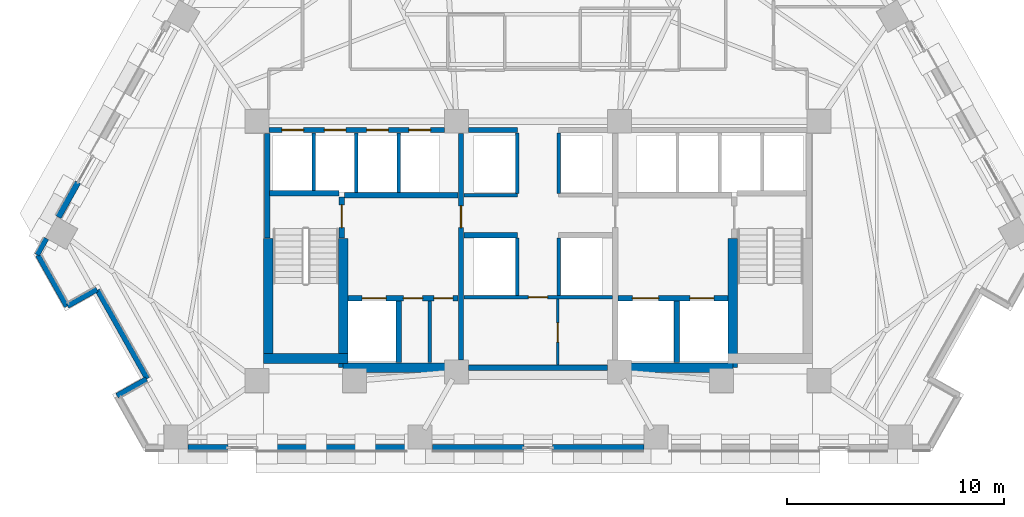
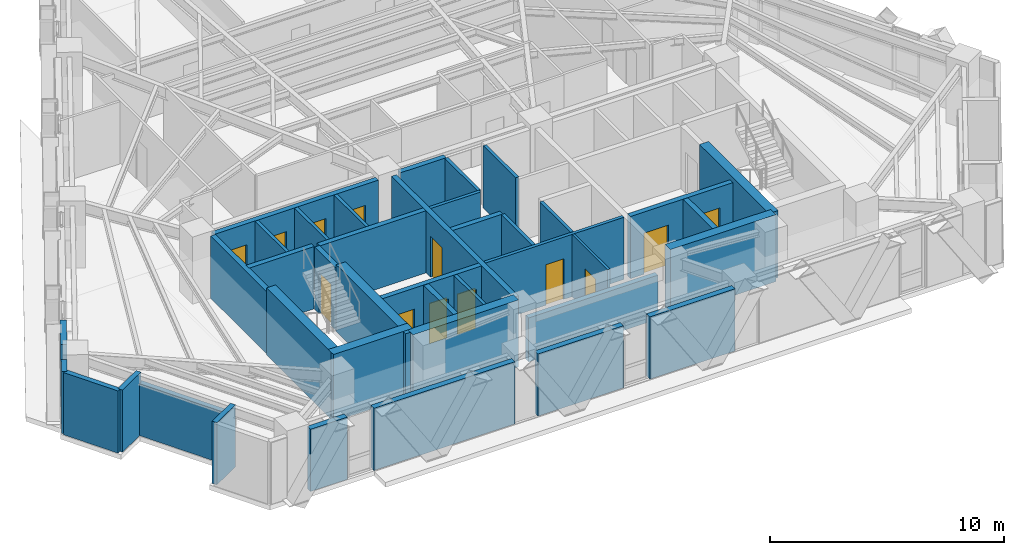
# One storey, part 7 of 13: 40 walls, 13 doors, 13 openings.
"""IFC4 building model written with IfcOpenShell, lengths in metres."""

from ifc_helpers import new_model, si_unit, direction, frame, frame_2d, origin, place, context, subcontext, project, spatial, rectangle, extrude, material, layer, layer_set, type_object, element, fill, save


model = new_model("IFC4")

# Units and contexts
model_context = context("Model", 3, precision=1e-05, world=origin(), true_north=direction((0.0, 1.0)))
body_context = subcontext(model_context, "Body", "Model", "MODEL_VIEW")
ifc_project = project(units=[si_unit("LENGTHUNIT", "METRE"), si_unit("AREAUNIT", "SQUARE_METRE"), si_unit("VOLUMEUNIT", "CUBIC_METRE"), si_unit("PLANEANGLEUNIT", "RADIAN"), si_unit("MASSUNIT", "GRAM", prefix="KILO")], contexts=[model_context])

# Site, building, storey
site_placement = place(None, origin())
site = spatial("IfcSite", under=ifc_project, at=site_placement, CompositionType="ELEMENT")
building_placement = place(site_placement, origin())
building = spatial("IfcBuilding", under=site, at=building_placement, Name="Quenlor Broadcast Tower", CompositionType="ELEMENT")
storey_placement = place(building_placement, frame((0.0, 0.0, 76.60009765625)))
storey = spatial("IfcBuildingStorey", under=building, at=storey_placement, Name="L20", CompositionType="ELEMENT", Elevation=76.60009765625)

# Walls
ifc_material_1 = material(Name="Concrete C50/60", Category="concrete")
ifc_layer_1 = layer(ifc_material_1, 0.449951171875)
ifc_layer_set_1 = layer_set([ifc_layer_1], Name="Core Concrete C50/60 Shear Wall 450")
wall_type_1 = type_object("IfcWallType", Name="Core Concrete C50/60 Shear Wall 450", PredefinedType="SHEAR", material=ifc_layer_set_1)
wall_1_placement = place(storey_placement, frame((-12.64990234375, -15.72509765625, 0.0), z_axis=(0.0, 0.0, 1.0), x_axis=(1.0, 0.0, 0.0)))
element("IfcWall", 1, at=wall_1_placement, inside=storey, type_object=wall_type_1, Name="L20 Core Shear Wall WS-W1", PredefinedType="SHEAR", context=body_context, shape_type="SweptSolid", body=[
    extrude(rectangle(XDim=3.89990234375, YDim=0.449951171875, at=frame_2d((1.949951171875, 0.0))), origin(), (0.0, 0.0, 1.0), 3.5),
])
for number, where, z_axis, x_axis, name in (
    (2, (-8.97509765625, -16.14990234375, 0.0), (0.0, 0.0, 1.0), (1.0, 0.0, 0.0), "L20 Core Shear Wall WS-W2"),
    (3, (3.75, -16.14990234375, 0.0), (0.0, 0.0, 1.0), (1.0, 0.0, 0.0), "L20 Core Shear Wall WS-E1"),
):
    element("IfcWall", number, at=place(storey_placement, frame(where, z_axis=z_axis, x_axis=x_axis)), inside=storey, type_object=wall_type_1, Name=name, PredefinedType="SHEAR", context=body_context, shape_type="SweptSolid", body=[
        extrude(rectangle(XDim=5.22509765625, YDim=0.449951171875, at=frame_2d((2.612548828125, 0.0))), origin(), (0.0, 0.0, 1.0), 3.5),
    ])
wall_2_placement = place(storey_placement, frame((-12.425048828125, -15.72509765625, 0.0), z_axis=(0.0, 0.0, 1.0), x_axis=(0.0, 1.0, 0.0)))
element("IfcWall", 4, at=wall_2_placement, inside=storey, type_object=wall_type_1, Name="L20 Core Shear Wall WF-W", PredefinedType="SHEAR", context=body_context, shape_type="SweptSolid", body=[
    extrude(rectangle(XDim=5.525146484375, YDim=0.449951171875, at=frame_2d((2.7626953125, 0.0))), origin(), (0.0, 0.0, 1.0), 3.5),
])
for number, where, z_axis, x_axis, name in (
    (5, (-8.97509765625, -16.14990234375, 0.0), (0.0, 0.0, 1.0), (0.0, 1.0, 0.0), "L20 Core Shear Wall WI-W"),
    (6, (8.97509765625, -16.14990234375, 0.0), (0.0, 0.0, 1.0), (0.0, 1.0, 0.0), "L20 Core Shear Wall WI-E"),
):
    element("IfcWall", number, at=place(storey_placement, frame(where, z_axis=z_axis, x_axis=x_axis)), inside=storey, type_object=wall_type_1, Name=name, PredefinedType="SHEAR", context=body_context, shape_type="SweptSolid", body=[
        extrude(rectangle(XDim=5.949951171875, YDim=0.449951171875, at=frame_2d((2.97509765625, 0.0))), origin(), (0.0, 0.0, 1.0), 3.5),
    ])

# Wall, opening, door
ifc_material_2 = material(Name="Concrete C40/50", Category="concrete")
ifc_layer_2 = layer(ifc_material_2, 0.25)
ifc_layer_set_2 = layer_set([ifc_layer_2], Name="Fire Rated Concrete C40/50 Core Wall 250")
wall_type_2 = type_object("IfcWallType", Name="Fire Rated Concrete C40/50 Core Wall 250", PredefinedType="PARTITIONING", material=ifc_layer_set_2)
wall_3_placement = place(storey_placement, frame((-9.0400390625, -10.179931640625, 0.0), z_axis=(0.0, 0.0, 1.0), x_axis=(0.0, 1.0, 0.0)))
wall_3 = element("IfcWall", 7, at=wall_3_placement, inside=storey, type_object=wall_type_2, Name="L20 Interior Wall CW-ST1-DR", PredefinedType="PARTITIONING", context=body_context, shape_type="SweptSolid", body=[
    extrude(rectangle(XDim=1.89990234375, YDim=0.25, at=frame_2d((0.949951171875, 0.0))), origin(), (0.0, 0.0, 1.0), 3.25),
])
opening_1_placement = place(wall_3_placement, frame((0.47998046875, 0.0, 0.0)))
opening_1 = element("IfcOpeningElement", 8, at=opening_1_placement, cuts=wall_3, Name="Opening FD-1", PredefinedType="OPENING", context=body_context, shape_type="SweptSolid", body=[
    extrude(rectangle(XDim=1.050048828125, YDim=2.14990234375, at=frame_2d((0.52490234375, 1.074951171875))), frame((0.0, 0.135009765625, 0.0), z_axis=(0.0, -1.0, 0.0), x_axis=(1.0, 0.0, 0.0)), (0.0, 0.0, 1.0), 0.27001953125),
])
ifc_material_3 = material(Name="Fire Rated Steel Door Leaf", Category="steel")
door_type_1 = type_object("IfcDoorType", Name="Fire Isolated Stair Door 1050x2150", OperationType="NOTDEFINED", PredefinedType="DOOR", material=ifc_material_3)
door_1_placement = place(opening_1_placement, origin())
door_1 = element("IfcDoor", 9, at=door_1_placement, inside=storey, type_object=door_type_1, Name="L20 Door DR-ST1", OperationType="SINGLE_SWING_LEFT", OverallHeight=2.14990234375, OverallWidth=1.050048828125, PredefinedType="DOOR", context=body_context, shape_type="SweptSolid", body=[
    extrude(rectangle(XDim=1.050048828125, YDim=2.14990234375, at=frame_2d((0.52490234375, 1.074951171875))), frame((0.0, 0.02490234375, 0.0), z_axis=(0.0, -1.0, 0.0), x_axis=(1.0, 0.0, 0.0)), (0.0, 0.0, 1.0), 0.050048828125),
])
fill(opening_1, door_1)

# Walls
wall_4_placement = place(storey_placement, frame((-12.3798828125, -8.1201171875, 0.0), z_axis=(0.0, 0.0, 1.0), x_axis=(1.0, 0.0, 0.0)))
element("IfcWall", 10, at=wall_4_placement, inside=storey, type_object=wall_type_2, Name="L20 Interior Wall CW-ST1-N", PredefinedType="PARTITIONING", context=body_context, shape_type="SweptSolid", body=[
    extrude(rectangle(XDim=3.219970703125, YDim=0.25, at=frame_2d((1.60986328125, 0.0))), origin(), (0.0, 0.0, 1.0), 3.25),
])
wall_5_placement = place(storey_placement, frame((-12.47998046875, -10.179931640625, 0.0), z_axis=(0.0, 0.0, 1.0), x_axis=(0.0, 1.0, 0.0)))
element("IfcWall", 11, at=wall_5_placement, inside=storey, type_object=wall_type_2, Name="L20 Interior Wall CW-ST1-W2", PredefinedType="PARTITIONING", context=body_context, shape_type="SweptSolid", body=[
    extrude(rectangle(XDim=4.827880859375, YDim=0.25, at=frame_2d((2.4140625, 0.0))), origin(), (0.0, 0.0, 1.0), 3.25),
])

# Wall, openings, doors
wall_6_placement = place(storey_placement, frame((-8.748046875, -12.949951171875, 0.0), z_axis=(0.0, 0.0, 1.0), x_axis=(1.0, 0.0, 0.0)))
wall_6 = element("IfcWall", 12, at=wall_6_placement, inside=storey, type_object=wall_type_2, Name="L20 Interior Wall CW-FFW-S", PredefinedType="PARTITIONING", context=body_context, shape_type="SweptSolid", body=[
    extrude(rectangle(XDim=5.068115234375, YDim=0.25, at=frame_2d((2.5341796875, 0.0))), origin(), (0.0, 0.0, 1.0), 3.25),
])
opening_2_placement = place(wall_6_placement, frame((0.64794921875, 0.0, 0.0)))
opening_2 = element("IfcOpeningElement", 13, at=opening_2_placement, cuts=wall_6, Name="Opening LD-FFL-1", PredefinedType="OPENING", context=body_context, shape_type="SweptSolid", body=[
    extrude(rectangle(XDim=1.10009765625, YDim=2.14990234375, at=frame_2d((0.550048828125, 1.074951171875))), frame((0.0, 0.135009765625, 0.0), z_axis=(0.0, -1.0, 0.0), x_axis=(1.0, 0.0, 0.0)), (0.0, 0.0, 1.0), 0.27001953125),
])
opening_3_placement = place(wall_6_placement, frame((2.548095703125, 0.0, 0.0)))
opening_3 = element("IfcOpeningElement", 14, at=opening_3_placement, cuts=wall_6, Name="Opening TD-1", PredefinedType="OPENING", context=body_context, shape_type="SweptSolid", body=[
    extrude(rectangle(XDim=0.8798828125, YDim=2.10009765625, at=frame_2d((0.43994140625, 1.050048828125))), frame((0.0, 0.135009765625, 0.0), z_axis=(0.0, -1.0, 0.0), x_axis=(1.0, 0.0, 0.0)), (0.0, 0.0, 1.0), 0.27001953125),
])
opening_4_placement = place(wall_6_placement, frame((3.947998046875, 0.0, 0.0)))
opening_4 = element("IfcOpeningElement", 15, at=opening_4_placement, cuts=wall_6, Name="Opening TD-1", PredefinedType="OPENING", context=body_context, shape_type="SweptSolid", body=[
    extrude(rectangle(XDim=0.8798828125, YDim=2.10009765625, at=frame_2d((0.43994140625, 1.050048828125))), frame((0.0, 0.135009765625, 0.0), z_axis=(0.0, -1.0, 0.0), x_axis=(1.0, 0.0, 0.0)), (0.0, 0.0, 1.0), 0.27001953125),
])
ifc_material_4 = material(Name="Brushed Stainless Steel", Category="steel")
door_type_2 = type_object("IfcDoorType", Name="Emergency Lift Sliding Landing Door 1100x2150", OperationType="NOTDEFINED", PredefinedType="DOOR", material=ifc_material_4)
door_2_placement = place(opening_2_placement, origin())
door_2 = element("IfcDoor", 16, at=door_2_placement, inside=storey, type_object=door_type_2, Name="L20 Door LD-FFL-1", OperationType="SLIDING_TO_LEFT", OverallHeight=2.14990234375, OverallWidth=1.10009765625, PredefinedType="DOOR", context=body_context, shape_type="SweptSolid", body=[
    extrude(rectangle(XDim=1.10009765625, YDim=2.14990234375, at=frame_2d((0.550048828125, 1.074951171875))), frame((0.0, 0.02490234375, 0.0), z_axis=(0.0, -1.0, 0.0), x_axis=(1.0, 0.0, 0.0)), (0.0, 0.0, 1.0), 0.050048828125),
])
fill(opening_2, door_2)
ifc_material_5 = material(Name="Fire Rated Steel Access Panel", Category="steel")
door_type_3 = type_object("IfcDoorType", Name="Riser Shaft Rated Access Trapdoor 880x2100", OperationType="NOTDEFINED", PredefinedType="TRAPDOOR", material=ifc_material_5)
door_3_placement = place(opening_3_placement, origin())
door_3 = element("IfcDoor", 17, at=door_3_placement, inside=storey, type_object=door_type_3, Name="L20 Door DR-ELR", OperationType="SINGLE_SWING_LEFT", OverallHeight=2.10009765625, OverallWidth=0.8798828125, PredefinedType="TRAPDOOR", context=body_context, shape_type="SweptSolid", body=[
    extrude(rectangle(XDim=0.8798828125, YDim=2.10009765625, at=frame_2d((0.43994140625, 1.050048828125))), frame((0.0, 0.02490234375, 0.0), z_axis=(0.0, -1.0, 0.0), x_axis=(1.0, 0.0, 0.0)), (0.0, 0.0, 1.0), 0.050048828125),
])
fill(opening_3, door_3)
door_4_placement = place(opening_4_placement, origin())
door_4 = element("IfcDoor", 18, at=door_4_placement, inside=storey, type_object=door_type_3, Name="L20 Door DR-CMR", OperationType="SINGLE_SWING_RIGHT", OverallHeight=2.10009765625, OverallWidth=0.8798828125, PredefinedType="TRAPDOOR", context=body_context, shape_type="SweptSolid", body=[
    extrude(rectangle(XDim=0.8798828125, YDim=2.10009765625, at=frame_2d((0.43994140625, 1.050048828125))), frame((0.0, 0.02490234375, 0.0), z_axis=(0.0, -1.0, 0.0), x_axis=(1.0, 0.0, 0.0)), (0.0, 0.0, 1.0), 0.050048828125),
])
fill(opening_4, door_4)

wall_7_placement = place(storey_placement, frame((3.679931640625, -12.949951171875, 0.0), z_axis=(0.0, 0.0, 1.0), x_axis=(1.0, 0.0, 0.0)))
wall_7 = element("IfcWall", 19, at=wall_7_placement, inside=storey, type_object=wall_type_2, Name="L20 Interior Wall CW-FFE-S", PredefinedType="PARTITIONING", context=body_context, shape_type="SweptSolid", body=[
    extrude(rectangle(XDim=5.068115234375, YDim=0.25, at=frame_2d((2.5341796875, 0.0))), origin(), (0.0, 0.0, 1.0), 3.25),
])
opening_5_placement = place(wall_7_placement, frame((3.320068359375, 0.0, 0.0)))
opening_5 = element("IfcOpeningElement", 20, at=opening_5_placement, cuts=wall_7, Name="Opening LD-FFL-2", PredefinedType="OPENING", context=body_context, shape_type="SweptSolid", body=[
    extrude(rectangle(XDim=1.10009765625, YDim=2.14990234375, at=frame_2d((0.550048828125, 1.074951171875))), frame((0.0, 0.135009765625, 0.0), z_axis=(0.0, -1.0, 0.0), x_axis=(1.0, 0.0, 0.0)), (0.0, 0.0, 1.0), 0.27001953125),
])
opening_6_placement = place(wall_7_placement, frame((0.669921875, 0.0, 0.0)))
opening_6 = element("IfcOpeningElement", 21, at=opening_6_placement, cuts=wall_7, Name="Opening LD-SVL-1", PredefinedType="OPENING", context=body_context, shape_type="SweptSolid", body=[
    extrude(rectangle(XDim=1.199951171875, YDim=2.14990234375, at=frame_2d((0.60009765625, 1.074951171875))), frame((0.0, 0.135009765625, 0.0), z_axis=(0.0, -1.0, 0.0), x_axis=(1.0, 0.0, 0.0)), (0.0, 0.0, 1.0), 0.27001953125),
])
door_5_placement = place(opening_5_placement, origin())
door_5 = element("IfcDoor", 22, at=door_5_placement, inside=storey, type_object=door_type_2, Name="L20 Door LD-FFL-2", OperationType="SLIDING_TO_RIGHT", OverallHeight=2.14990234375, OverallWidth=1.10009765625, PredefinedType="DOOR", context=body_context, shape_type="SweptSolid", body=[
    extrude(rectangle(XDim=1.10009765625, YDim=2.14990234375, at=frame_2d((0.550048828125, 1.074951171875))), frame((0.0, 0.02490234375, 0.0), z_axis=(0.0, -1.0, 0.0), x_axis=(1.0, 0.0, 0.0)), (0.0, 0.0, 1.0), 0.050048828125),
])
fill(opening_5, door_5)
ifc_material_6 = material(Name="Brushed Stainless Steel", Category="steel")
door_type_4 = type_object("IfcDoorType", Name="Goods Lift Sliding Landing Door 1200x2150", OperationType="NOTDEFINED", PredefinedType="DOOR", material=ifc_material_6)
door_6_placement = place(opening_6_placement, origin())
door_6 = element("IfcDoor", 23, at=door_6_placement, inside=storey, type_object=door_type_4, Name="L20 Door LD-SVL-1", OperationType="SLIDING_TO_LEFT", OverallHeight=2.14990234375, OverallWidth=1.199951171875, PredefinedType="DOOR", context=body_context, shape_type="SweptSolid", body=[
    extrude(rectangle(XDim=1.199951171875, YDim=2.14990234375, at=frame_2d((0.60009765625, 1.074951171875))), frame((0.0, 0.02490234375, 0.0), z_axis=(0.0, -1.0, 0.0), x_axis=(1.0, 0.0, 0.0)), (0.0, 0.0, 1.0), 0.050048828125),
])
fill(opening_6, door_6)

# Walls
for number, where, z_axis, x_axis, name in (
    (24, (-6.419921875, -15.919921875, 0.0), (0.0, 0.0, 1.0), (0.0, 1.0, 0.0), "L20 Interior Wall CW-FF1-E"),
    (25, (6.39990234375, -15.919921875, 0.0), (0.0, 0.0, 1.0), (0.0, 1.0, 0.0), "L20 Interior Wall CW-SV1-E"),
):
    element("IfcWall", number, at=place(storey_placement, frame(where, z_axis=z_axis, x_axis=x_axis)), inside=storey, type_object=wall_type_2, Name=name, PredefinedType="PARTITIONING", context=body_context, shape_type="SweptSolid", body=[
        extrude(rectangle(XDim=2.829833984375, YDim=0.25, at=frame_2d((1.4150390625, 0.0))), origin(), (0.0, 0.0, 1.0), 3.25),
    ])
wall_8_placement = place(storey_placement, frame((-8.919921875, -8.199951171875, 0.0), z_axis=(0.0, 0.0, 1.0), x_axis=(1.0, 0.0, 0.0)))
element("IfcWall", 26, at=wall_8_placement, inside=storey, type_object=wall_type_2, Name="L20 Interior Wall CW-FFW-N", PredefinedType="PARTITIONING", context=body_context, shape_type="SweptSolid", body=[
    extrude(rectangle(XDim=5.239990234375, YDim=0.25, at=frame_2d((2.6201171875, 0.0))), origin(), (0.0, 0.0, 1.0), 3.25),
])

# Wall, opening, door
wall_9_placement = place(storey_placement, frame((-3.550048828125, -15.798095703125, 0.0), z_axis=(0.0, 0.0, 1.0), x_axis=(0.0, 1.0, 0.0)))
wall_9 = element("IfcWall", 27, at=wall_9_placement, inside=storey, type_object=wall_type_2, Name="L20 Interior Wall CW-FFW-E", PredefinedType="PARTITIONING", context=body_context, shape_type="SweptSolid", body=[
    extrude(rectangle(XDim=10.446044921875, YDim=0.25, at=frame_2d((5.22314453125, 0.0))), origin(), (0.0, 0.0, 1.0), 3.25),
])
opening_7_placement = place(wall_9_placement, frame((6.097900390625, 0.0, 0.0)))
opening_7 = element("IfcOpeningElement", 28, at=opening_7_placement, cuts=wall_9, Name="Opening FD-2", PredefinedType="OPENING", context=body_context, shape_type="SweptSolid", body=[
    extrude(rectangle(XDim=1.0, YDim=2.14990234375, at=frame_2d((0.5, 1.074951171875))), frame((0.0, 0.135009765625, 0.0), z_axis=(0.0, -1.0, 0.0), x_axis=(1.0, 0.0, 0.0)), (0.0, 0.0, 1.0), 0.27001953125),
])
ifc_material_7 = material(Name="Fire Rated Glazed Steel Door", Category="steel")
door_type_5 = type_object("IfcDoorType", Name="Firefighting Lobby Smoke Door 1000x2150", OperationType="NOTDEFINED", PredefinedType="DOOR", material=ifc_material_7)
door_7_placement = place(opening_7_placement, origin())
door_7 = element("IfcDoor", 29, at=door_7_placement, inside=storey, type_object=door_type_5, Name="L20 Door DR-FFLW", OperationType="SINGLE_SWING_RIGHT", OverallHeight=2.14990234375, OverallWidth=1.0, PredefinedType="DOOR", context=body_context, shape_type="SweptSolid", body=[
    extrude(rectangle(XDim=1.0, YDim=2.14990234375, at=frame_2d((0.5, 1.074951171875))), frame((0.0, 0.02490234375, 0.0), z_axis=(0.0, -1.0, 0.0), x_axis=(1.0, 0.0, 0.0)), (0.0, 0.0, 1.0), 0.050048828125),
])
fill(opening_7, door_7)

# Wall, openings, doors
wall_10_placement = place(storey_placement, frame((-12.39794921875, -5.199951171875, 0.0), z_axis=(0.0, 0.0, 1.0), x_axis=(1.0, 0.0, 0.0)))
wall_10 = element("IfcWall", 30, at=wall_10_placement, inside=storey, type_object=wall_type_2, Name="L20 Interior Wall CW-N-W", PredefinedType="PARTITIONING", context=body_context, shape_type="SweptSolid", body=[
    extrude(rectangle(XDim=8.095947265625, YDim=0.25, at=frame_2d((4.0478515625, 0.0))), origin(), (0.0, 0.0, 1.0), 3.25),
])
opening_8_placement = place(wall_10_placement, frame((0.597900390625, 0.0, 0.0)))
opening_8 = element("IfcOpeningElement", 31, at=opening_8_placement, cuts=wall_10, Name="Opening LD-PL-L1", PredefinedType="OPENING", context=body_context, shape_type="SweptSolid", body=[
    extrude(rectangle(XDim=1.0, YDim=2.14990234375, at=frame_2d((0.5, 1.074951171875))), frame((0.0, 0.135009765625, 0.0), z_axis=(0.0, -1.0, 0.0), x_axis=(1.0, 0.0, 0.0)), (0.0, 0.0, 1.0), 0.27001953125),
])
opening_9_placement = place(wall_10_placement, frame((2.548095703125, 0.0, 0.0)))
opening_9 = element("IfcOpeningElement", 32, at=opening_9_placement, cuts=wall_10, Name="Opening LD-PL-L2", PredefinedType="OPENING", context=body_context, shape_type="SweptSolid", body=[
    extrude(rectangle(XDim=1.0, YDim=2.14990234375, at=frame_2d((0.5, 1.074951171875))), frame((0.0, 0.135009765625, 0.0), z_axis=(0.0, -1.0, 0.0), x_axis=(1.0, 0.0, 0.0)), (0.0, 0.0, 1.0), 0.27001953125),
])
opening_10_placement = place(wall_10_placement, frame((4.498046875, 0.0, 0.0)))
opening_10 = element("IfcOpeningElement", 33, at=opening_10_placement, cuts=wall_10, Name="Opening LD-PL-L3", PredefinedType="OPENING", context=body_context, shape_type="SweptSolid", body=[
    extrude(rectangle(XDim=1.0, YDim=2.14990234375, at=frame_2d((0.5, 1.074951171875))), frame((0.0, 0.135009765625, 0.0), z_axis=(0.0, -1.0, 0.0), x_axis=(1.0, 0.0, 0.0)), (0.0, 0.0, 1.0), 0.27001953125),
])
opening_11_placement = place(wall_10_placement, frame((6.447998046875, 0.0, 0.0)))
opening_11 = element("IfcOpeningElement", 34, at=opening_11_placement, cuts=wall_10, Name="Opening LD-PL-L4", PredefinedType="OPENING", context=body_context, shape_type="SweptSolid", body=[
    extrude(rectangle(XDim=1.0, YDim=2.14990234375, at=frame_2d((0.5, 1.074951171875))), frame((0.0, 0.135009765625, 0.0), z_axis=(0.0, -1.0, 0.0), x_axis=(1.0, 0.0, 0.0)), (0.0, 0.0, 1.0), 0.27001953125),
])
ifc_material_8 = material(Name="Brushed Stainless Steel", Category="steel")
door_type_6 = type_object("IfcDoorType", Name="Passenger Lift Sliding Landing Door 1000x2150", OperationType="NOTDEFINED", PredefinedType="DOOR", material=ifc_material_8)
door_8_placement = place(opening_8_placement, origin())
door_8 = element("IfcDoor", 35, at=door_8_placement, inside=storey, type_object=door_type_6, Name="L20 Door LD-PL-L1", OperationType="SLIDING_TO_LEFT", OverallHeight=2.14990234375, OverallWidth=1.0, PredefinedType="DOOR", context=body_context, shape_type="SweptSolid", body=[
    extrude(rectangle(XDim=1.0, YDim=2.14990234375, at=frame_2d((0.5, 1.074951171875))), frame((0.0, 0.02490234375, 0.0), z_axis=(0.0, -1.0, 0.0), x_axis=(1.0, 0.0, 0.0)), (0.0, 0.0, 1.0), 0.050048828125),
])
fill(opening_8, door_8)
door_9_placement = place(opening_9_placement, origin())
door_9 = element("IfcDoor", 36, at=door_9_placement, inside=storey, type_object=door_type_6, Name="L20 Door LD-PL-L2", OperationType="SLIDING_TO_LEFT", OverallHeight=2.14990234375, OverallWidth=1.0, PredefinedType="DOOR", context=body_context, shape_type="SweptSolid", body=[
    extrude(rectangle(XDim=1.0, YDim=2.14990234375, at=frame_2d((0.5, 1.074951171875))), frame((0.0, 0.02490234375, 0.0), z_axis=(0.0, -1.0, 0.0), x_axis=(1.0, 0.0, 0.0)), (0.0, 0.0, 1.0), 0.050048828125),
])
fill(opening_9, door_9)
door_10_placement = place(opening_10_placement, origin())
door_10 = element("IfcDoor", 37, at=door_10_placement, inside=storey, type_object=door_type_6, Name="L20 Door LD-PL-L3", OperationType="SLIDING_TO_LEFT", OverallHeight=2.14990234375, OverallWidth=1.0, PredefinedType="DOOR", context=body_context, shape_type="SweptSolid", body=[
    extrude(rectangle(XDim=1.0, YDim=2.14990234375, at=frame_2d((0.5, 1.074951171875))), frame((0.0, 0.02490234375, 0.0), z_axis=(0.0, -1.0, 0.0), x_axis=(1.0, 0.0, 0.0)), (0.0, 0.0, 1.0), 0.050048828125),
])
fill(opening_10, door_10)
door_11_placement = place(opening_11_placement, origin())
door_11 = element("IfcDoor", 38, at=door_11_placement, inside=storey, type_object=door_type_6, Name="L20 Door LD-PL-L4", OperationType="SLIDING_TO_LEFT", OverallHeight=2.14990234375, OverallWidth=1.0, PredefinedType="DOOR", context=body_context, shape_type="SweptSolid", body=[
    extrude(rectangle(XDim=1.0, YDim=2.14990234375, at=frame_2d((0.5, 1.074951171875))), frame((0.0, 0.02490234375, 0.0), z_axis=(0.0, -1.0, 0.0), x_axis=(1.0, 0.0, 0.0)), (0.0, 0.0, 1.0), 0.050048828125),
])
fill(opening_11, door_11)

# Walls
wall_11_placement = place(storey_placement, frame((-3.197998046875, -5.199951171875, 0.0), z_axis=(0.0, 0.0, 1.0), x_axis=(1.0, 0.0, 0.0)))
element("IfcWall", 39, at=wall_11_placement, inside=storey, type_object=wall_type_2, Name="L20 Interior Wall CW-N-M1", PredefinedType="PARTITIONING", context=body_context, shape_type="SweptSolid", body=[
    extrude(rectangle(XDim=2.248046875, YDim=0.25, at=frame_2d((1.1240234375, 0.0))), origin(), (0.0, 0.0, 1.0), 3.25),
])
wall_12_placement = place(storey_placement, frame((-3.197998046875, -16.14990234375, 0.0), z_axis=(0.0, 0.0, 1.0), x_axis=(1.0, 0.0, 0.0)))
element("IfcWall", 40, at=wall_12_placement, inside=storey, type_object=wall_type_2, Name="L20 Interior Wall CW-MS-S", PredefinedType="PARTITIONING", context=body_context, shape_type="SweptSolid", body=[
    extrude(rectangle(XDim=6.39599609375, YDim=0.25, at=frame_2d((3.197998046875, 0.0))), origin(), (0.0, 0.0, 1.0), 2.2998046875),
])
wall_13_placement = place(storey_placement, frame((-3.419921875, -10.050048828125, 0.0), z_axis=(0.0, 0.0, 1.0), x_axis=(1.0, 0.0, 0.0)))
element("IfcWall", 41, at=wall_13_placement, inside=storey, type_object=wall_type_2, Name="L20 Interior Wall CW-MS-N1", PredefinedType="PARTITIONING", context=body_context, shape_type="SweptSolid", body=[
    extrude(rectangle(XDim=2.469970703125, YDim=0.25, at=frame_2d((1.23486328125, 0.0))), origin(), (0.0, 0.0, 1.0), 3.25),
])
ifc_material_9 = material(Name="Gypsum Fireboard Partition", Category="other")
ifc_layer_3 = layer(ifc_material_9, 0.159912109375)
ifc_layer_set_3 = layer_set([ifc_layer_3], Name="Fire Rated Shaft and Corridor Partition 160")
wall_type_3 = type_object("IfcWallType", Name="Fire Rated Shaft and Corridor Partition 160", PredefinedType="PARTITIONING", material=ifc_layer_set_3)
wall_14_placement = place(storey_placement, frame((-4.97998046875, -15.919921875, 0.0), z_axis=(0.0, 0.0, 1.0), x_axis=(0.0, 1.0, 0.0)))
element("IfcWall", 42, at=wall_14_placement, inside=storey, type_object=wall_type_3, Name="L20 Interior Wall CW-ELR-E", PredefinedType="PARTITIONING", context=body_context, shape_type="SweptSolid", body=[
    extrude(rectangle(XDim=2.829833984375, YDim=0.159912109375, at=frame_2d((1.4150390625, 0.0))), origin(), (0.0, 0.0, 1.0), 3.25),
])
wall_15_placement = place(storey_placement, frame((-10.324951171875, -7.992919921875, 0.0), z_axis=(0.0, 0.0, 1.0), x_axis=(0.0, 1.0, 0.0)))
element("IfcWall", 43, at=wall_15_placement, inside=storey, type_object=wall_type_3, Name="L20 Interior Wall CW-PLL-D1", PredefinedType="PARTITIONING", context=body_context, shape_type="SweptSolid", body=[
    extrude(rectangle(XDim=2.65283203125, YDim=0.159912109375, at=frame_2d((1.326416015625, 0.0))), origin(), (0.0, 0.0, 1.0), 3.25),
])
for number, where, z_axis, x_axis, name in (
    (44, (-8.375, -8.072998046875, 0.0), (0.0, 0.0, 1.0), (0.0, 1.0, 0.0), "L20 Interior Wall CW-PLL-D2"),
    (45, (-6.425048828125, -8.072998046875, 0.0), (0.0, 0.0, 1.0), (0.0, 1.0, 0.0), "L20 Interior Wall CW-PLL-D3"),
):
    element("IfcWall", number, at=place(storey_placement, frame(where, z_axis=z_axis, x_axis=x_axis)), inside=storey, type_object=wall_type_3, Name=name, PredefinedType="PARTITIONING", context=body_context, shape_type="SweptSolid", body=[
        extrude(rectangle(XDim=2.73291015625, YDim=0.159912109375, at=frame_2d((1.366455078125, 0.0))), origin(), (0.0, 0.0, 1.0), 3.25),
    ])
for number, where, z_axis, x_axis, name in (
    (46, (-0.949951171875, -8.1201171875, 0.0), (0.0, 0.0, 1.0), (0.0, 1.0, 0.0), "L20 Interior Wall CW-CCRP-W"),
    (47, (0.949951171875, -8.1201171875, 0.0), (0.0, 0.0, 1.0), (0.0, 1.0, 0.0), "L20 Interior Wall CW-CCRP-E"),
):
    element("IfcWall", number, at=place(storey_placement, frame(where, z_axis=z_axis, x_axis=x_axis)), inside=storey, type_object=wall_type_3, Name=name, PredefinedType="PARTITIONING", context=body_context, shape_type="SweptSolid", body=[
        extrude(rectangle(XDim=2.780029296875, YDim=0.159912109375, at=frame_2d((1.39013671875, 0.0))), origin(), (0.0, 0.0, 1.0), 3.25),
    ])
wall_16_placement = place(storey_placement, frame((-3.419921875, -8.199951171875, 0.0), z_axis=(0.0, 0.0, 1.0), x_axis=(1.0, 0.0, 0.0)))
element("IfcWall", 48, at=wall_16_placement, inside=storey, type_object=wall_type_3, Name="L20 Interior Wall CW-M-BACK1", PredefinedType="PARTITIONING", context=body_context, shape_type="SweptSolid", body=[
    extrude(rectangle(XDim=2.469970703125, YDim=0.159912109375, at=frame_2d((1.23486328125, 0.0))), origin(), (0.0, 0.0, 1.0), 3.25),
])

# Wall, opening, door
wall_17_placement = place(storey_placement, frame((-3.419921875, -12.89990234375, 0.0), z_axis=(0.0, 0.0, 1.0), x_axis=(1.0, 0.0, 0.0)))
wall_17 = element("IfcWall", 49, at=wall_17_placement, inside=storey, type_object=wall_type_3, Name="L20 Interior Wall CW-MS-B", PredefinedType="PARTITIONING", context=body_context, shape_type="SweptSolid", body=[
    extrude(rectangle(XDim=6.83984375, YDim=0.159912109375, at=frame_2d((3.419921875, 0.0))), origin(), (0.0, 0.0, 1.0), 3.25),
])
opening_12_placement = place(wall_17_placement, frame((2.97998046875, 0.0, 0.0)))
opening_12 = element("IfcOpeningElement", 50, at=opening_12_placement, cuts=wall_17, Name="Opening ID-4", PredefinedType="OPENING", context=body_context, shape_type="SweptSolid", body=[
    extrude(rectangle(XDim=0.8798828125, YDim=2.1201171875, at=frame_2d((0.43994140625, 1.06005859375))), frame((0.0, 0.08984375, 0.0), z_axis=(0.0, -1.0, 0.0), x_axis=(1.0, 0.0, 0.0)), (0.0, 0.0, 1.0), 0.179931640625),
])
ifc_material_10 = material(Name="Solid Core Timber Oak", Category="wood")
door_type_7 = type_object("IfcDoorType", Name="Service Closet Timber Door 880x2120", OperationType="NOTDEFINED", PredefinedType="DOOR", material=ifc_material_10)
door_12_placement = place(opening_12_placement, origin())
door_12 = element("IfcDoor", 51, at=door_12_placement, inside=storey, type_object=door_type_7, Name="L20 Door DR-CSV0", OperationType="SINGLE_SWING_LEFT", OverallHeight=2.1201171875, OverallWidth=0.8798828125, PredefinedType="DOOR", context=body_context, shape_type="SweptSolid", body=[
    extrude(rectangle(XDim=0.8798828125, YDim=2.1201171875, at=frame_2d((0.43994140625, 1.06005859375))), frame((0.0, 0.02490234375, 0.0), z_axis=(0.0, -1.0, 0.0), x_axis=(1.0, 0.0, 0.0)), (0.0, 0.0, 1.0), 0.050048828125),
])
fill(opening_12, door_12)

# Walls
for number, where, z_axis, x_axis, name in (
    (52, (-0.949951171875, -12.818115234375, 0.0), (0.0, 0.0, 1.0), (0.0, 1.0, 0.0), "L20 Interior Wall CW-MS-W"),
    (53, (0.949951171875, -12.818115234375, 0.0), (0.0, 0.0, 1.0), (0.0, 1.0, 0.0), "L20 Interior Wall CW-MS-E"),
):
    element("IfcWall", number, at=place(storey_placement, frame(where, z_axis=z_axis, x_axis=x_axis)), inside=storey, type_object=wall_type_3, Name=name, PredefinedType="PARTITIONING", context=body_context, shape_type="SweptSolid", body=[
        extrude(rectangle(XDim=2.63818359375, YDim=0.159912109375, at=frame_2d((1.319091796875, 0.0))), origin(), (0.0, 0.0, 1.0), 3.25),
    ])

# Wall, opening, door
ifc_material_11 = material(Name="Gypsum Plasterboard Partition", Category="other")
ifc_layer_4 = layer(ifc_material_11, 0.1201171875)
ifc_layer_set_4 = layer_set([ifc_layer_4], Name="Standard Office Partition 120")
wall_type_4 = type_object("IfcWallType", Name="Standard Office Partition 120", PredefinedType="PARTITIONING", material=ifc_layer_set_4)
wall_18_placement = place(storey_placement, frame((0.909912109375, -16.02001953125, 0.0), z_axis=(0.0, 0.0, 1.0), x_axis=(0.0, 1.0, 0.0)))
wall_18 = element("IfcWall", 54, at=wall_18_placement, inside=storey, type_object=wall_type_4, Name="L20 Interior Wall CW-CSV-E2", PredefinedType="PARTITIONING", context=body_context, shape_type="SweptSolid", body=[
    extrude(rectangle(XDim=3.0380859375, YDim=0.1201171875, at=frame_2d((1.51904296875, 0.0))), origin(), (0.0, 0.0, 1.0), 3.25),
])
opening_13_placement = place(wall_18_placement, frame((1.050048828125, 0.0, 0.0)))
opening_13 = element("IfcOpeningElement", 55, at=opening_13_placement, cuts=wall_18, Name="Opening ID-4", PredefinedType="OPENING", context=body_context, shape_type="SweptSolid", body=[
    extrude(rectangle(XDim=0.8798828125, YDim=2.1201171875, at=frame_2d((0.43994140625, 1.06005859375))), frame((0.0, 0.070068359375, 0.0), z_axis=(0.0, -1.0, 0.0), x_axis=(1.0, 0.0, 0.0)), (0.0, 0.0, 1.0), 0.14013671875),
])
door_13_placement = place(opening_13_placement, origin())
door_13 = element("IfcDoor", 56, at=door_13_placement, inside=storey, type_object=door_type_7, Name="L20 Door DR-CSV2", OperationType="SINGLE_SWING_RIGHT", OverallHeight=2.1201171875, OverallWidth=0.8798828125, PredefinedType="DOOR", context=body_context, shape_type="SweptSolid", body=[
    extrude(rectangle(XDim=0.8798828125, YDim=2.1201171875, at=frame_2d((0.43994140625, 1.06005859375))), frame((0.0, 0.02490234375, 0.0), z_axis=(0.0, -1.0, 0.0), x_axis=(1.0, 0.0, 0.0)), (0.0, 0.0, 1.0), 0.050048828125),
])
fill(opening_13, door_13)

# Walls
ifc_material_12 = material(Name="Precast concrete C40/50", Category="concrete")
ifc_layer_5 = layer(ifc_material_12, 0.239990234375)
ifc_layer_set_5 = layer_set([ifc_layer_5], Name="Terrace Threshold Precast Concrete C40/50 Wall 240")
wall_type_5 = type_object("IfcWallType", Name="Terrace Threshold Precast Concrete C40/50 Wall 240", PredefinedType="STANDARD", material=ifc_layer_set_5)
wall_19_placement = place(storey_placement, frame((-23.078125, -10.9541015625, 0.0), z_axis=(0.0, 0.0, 1.0), x_axis=(0.490355003566, 0.871522788272, 0.0)))
element("IfcWall", 57, at=wall_19_placement, inside=storey, type_object=wall_type_5, Name="L20 Exterior Wall L20-SHD-NWS0", PredefinedType="STANDARD", context=body_context, shape_type="SweptSolid", body=[
    extrude(rectangle(XDim=0.865234375, YDim=0.239990234375, at=frame_2d((0.4326171875, 0.0))), origin(), (0.0, 0.0, 1.0), 3.25),
])
wall_20_placement = place(storey_placement, frame((-23.043701171875, -10.962890625, 0.0), z_axis=(0.0, 0.0, 1.0), x_axis=(0.490218533594, -0.871599557894, 0.0)))
element("IfcWall", 58, at=wall_20_placement, inside=storey, type_object=wall_type_5, Name="L20 Exterior Wall L20-CNR-12", PredefinedType="STANDARD", context=body_context, shape_type="SweptSolid", body=[
    extrude(rectangle(XDim=2.714111328125, YDim=0.239990234375, at=frame_2d((1.35693359375, 0.0))), origin(), (0.0, 0.0, 1.0), 3.25),
])
wall_21_placement = place(storey_placement, frame((-21.67822265625, -13.30908203125, 0.0), z_axis=(0.0, 0.0, 1.0), x_axis=(0.871546278971, 0.490313250496, 0.0)))
element("IfcWall", 59, at=wall_21_placement, inside=storey, type_object=wall_type_5, Name="L20 Exterior Wall L20-CNR-13", PredefinedType="STANDARD", context=body_context, shape_type="SweptSolid", body=[
    extrude(rectangle(XDim=1.56005859375, YDim=0.239990234375, at=frame_2d((0.780029296875, 0.0))), origin(), (0.0, 0.0, 1.0), 3.25),
])
wall_22_placement = place(storey_placement, frame((-20.299072265625, -12.5791015625, 0.0), z_axis=(0.0, 0.0, 1.0), x_axis=(0.490313250496, -0.871546278971, 0.0)))
element("IfcWall", 60, at=wall_22_placement, inside=storey, type_object=wall_type_5, Name="L20 Exterior Wall L20-CNR-14", PredefinedType="STANDARD", context=body_context, shape_type="SweptSolid", body=[
    extrude(rectangle(XDim=4.679931640625, YDim=0.239990234375, at=frame_2d((2.33984375, 0.0))), origin(), (0.0, 0.0, 1.0), 2.7216796875),
])
wall_23_placement = place(storey_placement, frame((-18.039306640625, -16.677490234375, 0.0), z_axis=(0.0, 0.0, 1.0), x_axis=(-0.871546278971, -0.490313250496, 0.0)))
element("IfcWall", 61, at=wall_23_placement, inside=storey, type_object=wall_type_5, Name="L20 Exterior Wall L20-CNR-15", PredefinedType="STANDARD", context=body_context, shape_type="SweptSolid", body=[
    extrude(rectangle(XDim=1.56005859375, YDim=0.239990234375, at=frame_2d((0.780029296875, 0.0))), origin(), (0.0, 0.0, 1.0), 3.25),
])
ifc_material_13 = material(Name="Precast concrete C40/50", Category="concrete")
ifc_layer_6 = layer(ifc_material_13, 0.280029296875)
ifc_layer_set_6 = layer_set([ifc_layer_6], Name="Terracotta Precast Concrete C40/50 Facade Wall 280")
wall_type_6 = type_object("IfcWallType", Name="Terracotta Precast Concrete C40/50 Facade Wall 280", PredefinedType="STANDARD", material=ifc_layer_set_6)
wall_24_placement = place(storey_placement, frame((-6.018310546875, -19.840087890625, 0.0), z_axis=(0.0, 0.0, 1.0), x_axis=(-1.0, 0.0, 0.0)))
element("IfcWall", 62, at=wall_24_placement, inside=storey, type_object=wall_type_6, Name="L20 Exterior Wall L20-SC-SP1", PredefinedType="STANDARD", context=body_context, shape_type="SweptSolid", body=[
    extrude(rectangle(XDim=6.96044921875, YDim=0.280029296875, at=frame_2d((3.480224609375, 0.0))), origin(), (0.0, 0.0, 1.0), 3.25),
])
wall_25_placement = place(storey_placement, frame((-14.291748046875, -19.840087890625, 0.0), z_axis=(0.0, 0.0, 1.0), x_axis=(-1.0, 0.0, 0.0)))
element("IfcWall", 63, at=wall_25_placement, inside=storey, type_object=wall_type_6, Name="L20 Exterior Wall L20-SC-SP2", PredefinedType="STANDARD", context=body_context, shape_type="SweptSolid", body=[
    extrude(rectangle(XDim=1.82568359375, YDim=0.280029296875, at=frame_2d((0.912841796875, 0.0))), origin(), (0.0, 0.0, 1.0), 3.25),
])
for number, where, z_axis, x_axis, name in (
    (64, (4.873291015625, -19.840087890625, 0.0), (0.0, 0.0, 1.0), (-1.0, 0.0, 0.0), "L20 Exterior Wall L20-S-SP1"),
    (65, (-0.656494140625, -19.840087890625, 0.0), (0.0, 0.0, 1.0), (-1.0, 0.0, 0.0), "L20 Exterior Wall L20-S-SP2"),
):
    element("IfcWall", number, at=place(storey_placement, frame(where, z_axis=z_axis, x_axis=x_axis)), inside=storey, type_object=wall_type_6, Name=name, PredefinedType="STANDARD", context=body_context, shape_type="SweptSolid", body=[
        extrude(rectangle(XDim=4.216796875, YDim=0.280029296875, at=frame_2d((2.1083984375, 0.0))), origin(), (0.0, 0.0, 1.0), 3.25),
    ])
wall_26_placement = place(storey_placement, frame((-22.099853515625, -9.215087890625, 0.0), z_axis=(0.0, 0.0, 1.0), x_axis=(0.490280102884, 0.871564926277, 0.0)))
element("IfcWall", 66, at=wall_26_placement, inside=storey, type_object=wall_type_6, Name="L20 Exterior Wall L20-NWA-SP1", PredefinedType="STANDARD", context=body_context, shape_type="SweptSolid", body=[
    extrude(rectangle(XDim=1.843505859375, YDim=0.280029296875, at=frame_2d((0.921875, 0.0))), origin(), (0.0, 0.0, 1.0), 3.25),
])

save(model, "model.ifc")
